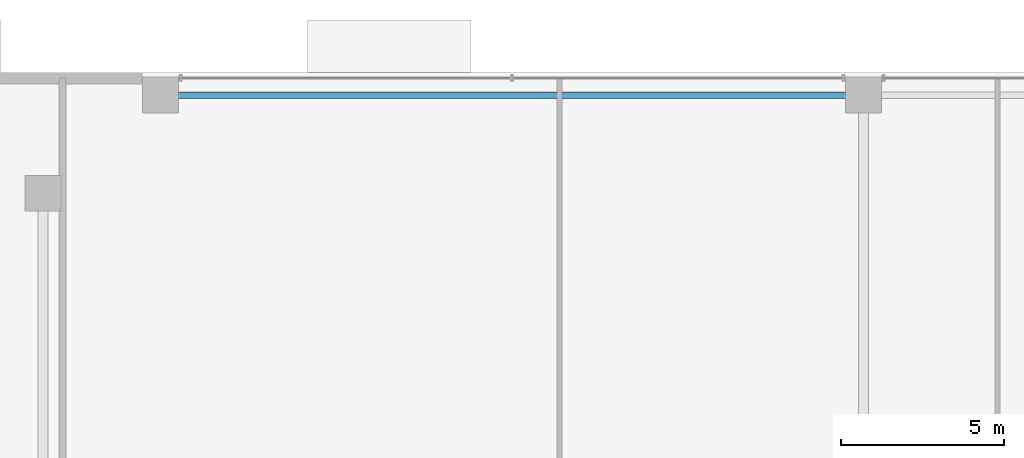
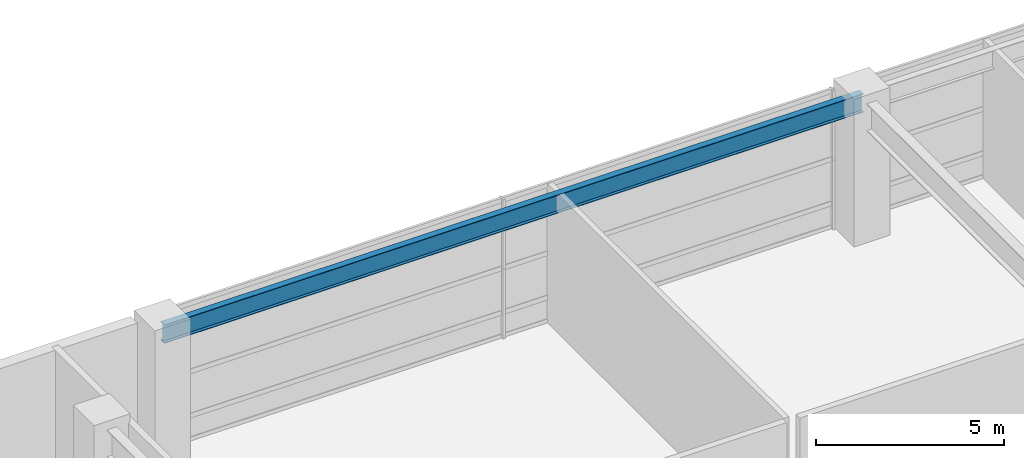
# One storey, part 18 of 37: 1 beam.
"""IFC4 building model written with IfcOpenShell, lengths in metres."""

from ifc_helpers import new_model, si_unit, direction, frame, origin, origin_2d, place, context, subcontext, project, spatial, i_section, extrude, source, transform, mapped, material, material_profile, profile_set, type_object, element, save


model = new_model("IFC4")

# Units and contexts
model_context = context("Model", 3, precision=1e-05, world=origin(), true_north=direction((0.0, 1.0)))
body_context = subcontext(model_context, "Body", "Model", "MODEL_VIEW")
ifc_project = project(units=[si_unit("LENGTHUNIT", "METRE"), si_unit("AREAUNIT", "SQUARE_METRE"), si_unit("VOLUMEUNIT", "CUBIC_METRE"), si_unit("PLANEANGLEUNIT", "RADIAN"), si_unit("MASSUNIT", "GRAM", prefix="KILO"), si_unit("THERMODYNAMICTEMPERATUREUNIT", "KELVIN"), si_unit("POWERUNIT", "WATT")], contexts=[model_context])

# Site, building, storey
site_placement = place(None, origin())
site = spatial("IfcSite", under=ifc_project, at=site_placement, CompositionType="ELEMENT")
building_placement = place(site_placement, origin())
building = spatial("IfcBuilding", under=site, at=building_placement, Name="Yuzanri Waterfront Tower", CompositionType="ELEMENT")
storey_placement = place(building_placement, frame((0.0, 0.0, 5.39990234375)))
storey = spatial("IfcBuildingStorey", under=building, at=storey_placement, Name="L02", CompositionType="ELEMENT", Elevation=5.39990234375)

# Beam
ifc_material = material(Name="Steel Q355B", Category="steel")
ifc_material_profile = material_profile(ifc_material, i_section(OverallWidth=0.199951171875, OverallDepth=0.60009765625, WebThickness=0.010986328125, FlangeThickness=0.01708984375, at=origin_2d()), Name="HN 600x200x11x17")
ifc_profile_set = profile_set([ifc_material_profile], Name="Steel Q355B")
beam_type = type_object("IfcBeamType", Name="Perimeter Spandrel Q355B HN 600x200", PredefinedType="SPANDREL", material=ifc_profile_set)
shared_shape = source(origin(), body_context, "Body", "SweptSolid", [
    extrude(i_section(OverallWidth=0.199951171875, OverallDepth=0.60009765625, WebThickness=0.010986328125, FlangeThickness=0.01708984375, at=origin_2d()), origin(), (0.0, 0.0, 1.0), 21.5),
])
beam_placement = place(storey_placement, frame((15.5, 49.10009765625, 4.22021484375), z_axis=(1.0, 0.0, 0.0), x_axis=(0.0, 1.0, 0.0)))
element("IfcBeam", 1, at=beam_placement, inside=storey, type_object=beam_type, Name="L02 North Spandrel 1", PredefinedType="SPANDREL", context=body_context, shape_type="MappedRepresentation", body=[
    mapped(shared_shape, transform((0.0, 0.0, 0.0), scale=1.0)),
])

save(model, "model.ifc")
